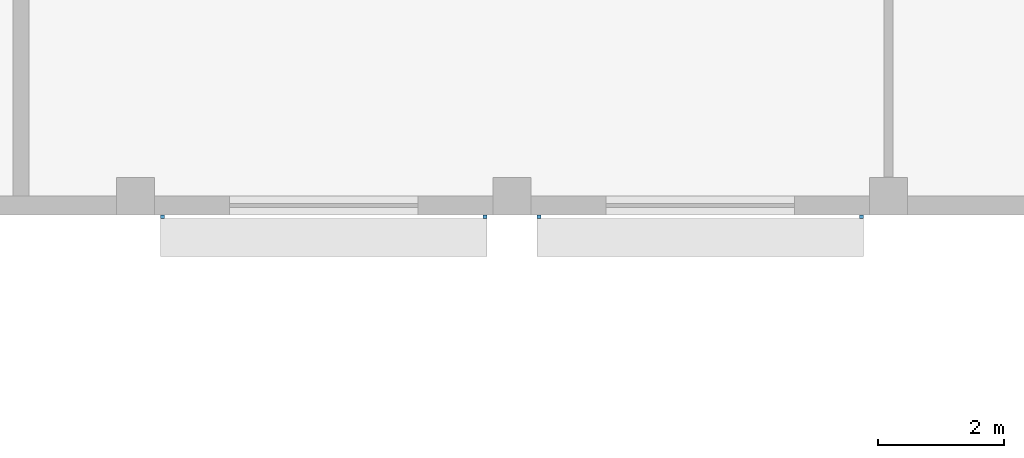
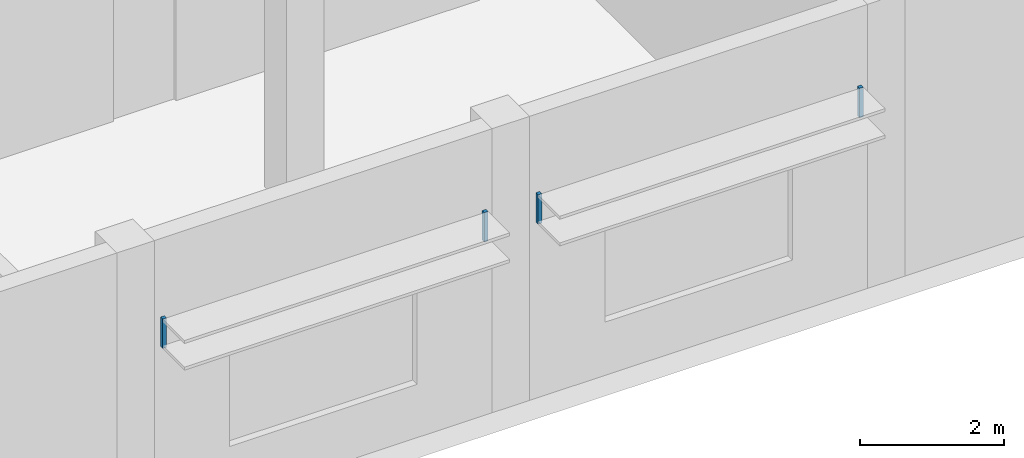
# One storey, part 28 of 45: 4 discrete accessories.
"""IFC4 building model written with IfcOpenShell, lengths in metres."""

from ifc_helpers import new_model, si_unit, direction, frame, origin, origin_2d, place, context, subcontext, project, spatial, rectangle, extrude, material, type_object, element, save


model = new_model("IFC4")

# Units and contexts
model_context = context("Model", 3, precision=1e-05, world=origin(), true_north=direction((0.0, 1.0)))
body_context = subcontext(model_context, "Body", "Model", "MODEL_VIEW")
ifc_project = project(units=[si_unit("LENGTHUNIT", "METRE"), si_unit("AREAUNIT", "SQUARE_METRE"), si_unit("VOLUMEUNIT", "CUBIC_METRE"), si_unit("PLANEANGLEUNIT", "RADIAN"), si_unit("MASSUNIT", "GRAM", prefix="KILO")], contexts=[model_context])

# Site, building, storey
site_placement = place(None, origin())
site = spatial("IfcSite", under=ifc_project, at=site_placement, CompositionType="ELEMENT")
building_placement = place(site_placement, origin())
building = spatial("IfcBuilding", under=site, at=building_placement, Name="Nakaniwa Court", CompositionType="ELEMENT")
storey_placement = place(building_placement, frame((0.0, 0.0, 6.60009765625)))
storey = spatial("IfcBuildingStorey", under=building, at=storey_placement, Name="L01", CompositionType="ELEMENT", Elevation=6.60009765625)

# Discrete accessories
ifc_material = material(Name="Black powder-coated steel bracket S275", Category="steel")
discrete_accessory_type = type_object("IfcDiscreteAccessoryType", Name="Hall black metal louvre bracket", PredefinedType="BRACKET", material=ifc_material)
for number, where, z_axis, x_axis, name in (
    (1, (169.570068359375, 55.969970703125, 2.974853515625), (0.0, 0.0, 1.0), (-1.0, 0.0, 0.0), "Louvre bracket L01 039.1"),
    (2, (164.429931640625, 55.969970703125, 2.974853515625), (0.0, 0.0, 1.0), (-1.0, 0.0, 0.0), "Louvre bracket L01 039.2"),
    (3, (163.570068359375, 55.969970703125, 2.974853515625), (0.0, 0.0, 1.0), (-1.0, 0.0, 0.0), "Louvre bracket L01 040.1"),
    (4, (158.429931640625, 55.969970703125, 2.974853515625), (0.0, 0.0, 1.0), (-1.0, 0.0, 0.0), "Louvre bracket L01 040.2"),
):
    element("IfcDiscreteAccessory", number, at=place(storey_placement, frame(where, z_axis=z_axis, x_axis=x_axis)), inside=storey, type_object=discrete_accessory_type, Name=name, PredefinedType="BRACKET", context=body_context, shape_type="SweptSolid", body=[
        extrude(rectangle(XDim=0.06005859375, YDim=0.06005859375, at=origin_2d()), origin(), (0.0, 0.0, 1.0), 0.5),
    ])

save(model, "model.ifc")
